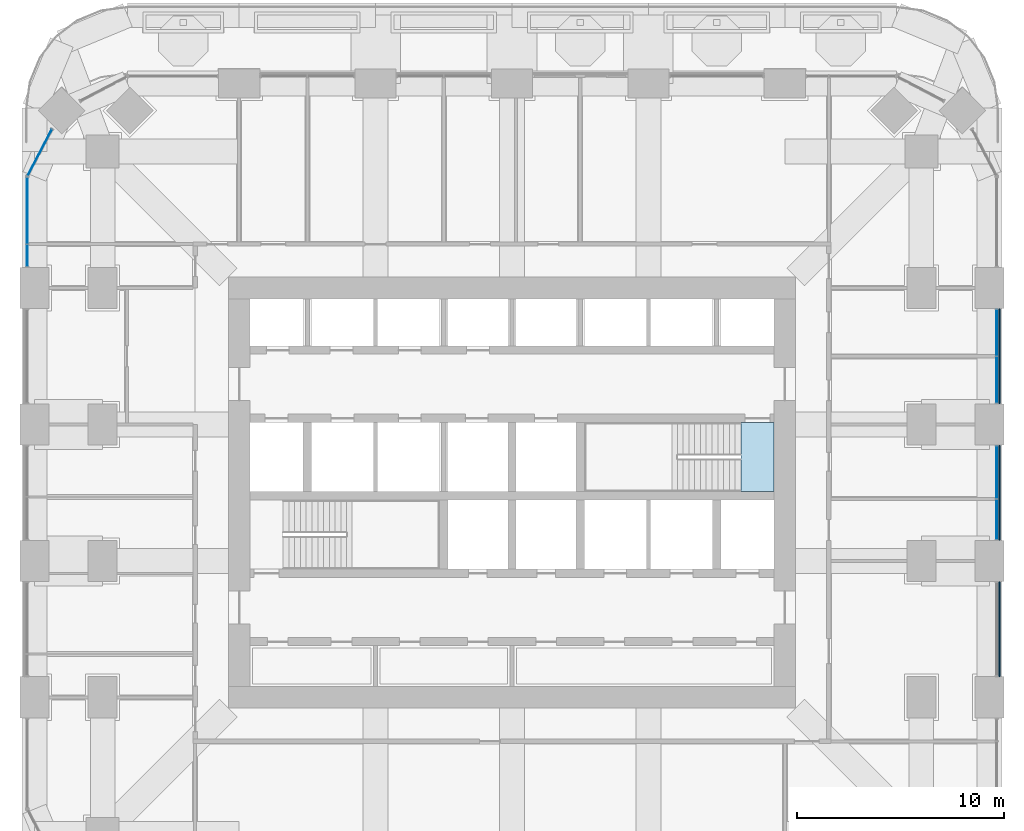
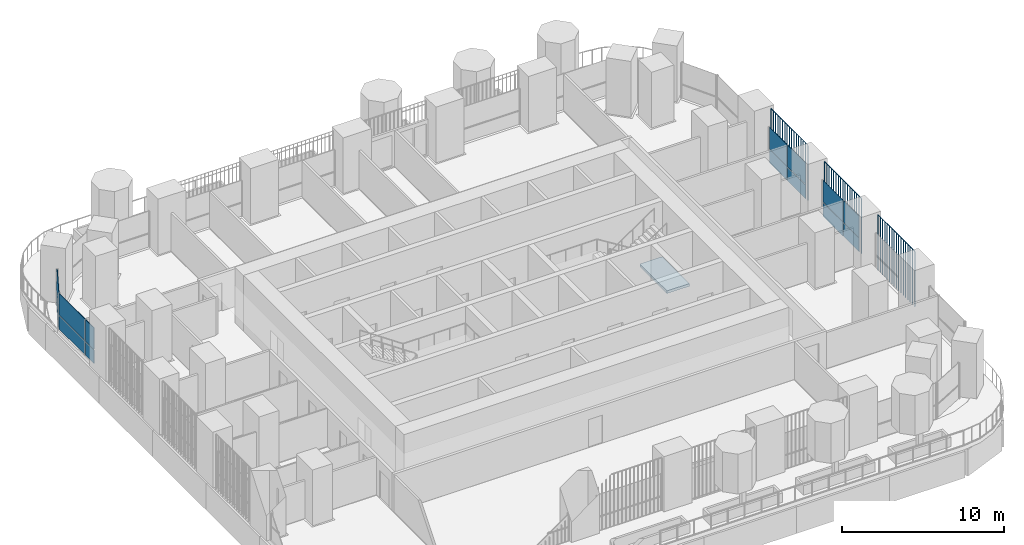
# One storey, part 11 of 22: 17 plates, 1 slab, 5 elements without a shape of their own.
"""IFC4 building model written with IfcOpenShell, lengths in metres."""

from ifc_helpers import new_model, si_unit, direction, frame, origin, origin_2d, place, context, subcontext, project, spatial, polyline, rectangle, outline, extrude, material, layer, layer_set, type_object, element, aggregate, save


model = new_model("IFC4")

# Units and contexts
model_context = context("Model", 3, precision=1e-05, world=origin(), true_north=direction((0.0, 1.0)))
body_context = subcontext(model_context, "Body", "Model", "MODEL_VIEW")
ifc_project = project(units=[si_unit("LENGTHUNIT", "METRE"), si_unit("AREAUNIT", "SQUARE_METRE"), si_unit("VOLUMEUNIT", "CUBIC_METRE"), si_unit("PLANEANGLEUNIT", "RADIAN"), si_unit("MASSUNIT", "GRAM", prefix="KILO")], contexts=[model_context])

# Site, building, storey
site_placement = place(None, origin())
site = spatial("IfcSite", under=ifc_project, at=site_placement, CompositionType="ELEMENT")
building_placement = place(site_placement, origin())
building = spatial("IfcBuilding", under=site, at=building_placement, Name="Cobogo Forest Laboratory Tower", CompositionType="ELEMENT")
storey_placement = place(building_placement, frame((0.0, 0.0, 155.699951171875)))
storey = spatial("IfcBuildingStorey", under=building, at=storey_placement, Name="L35", CompositionType="ELEMENT", Elevation=155.699951171875)

# Curtain wall, plates
ifc_material_1 = material(Name="Aluminium curtain wall", Category="aluminium")
curtain_wall_type = type_object("IfcCurtainWallType", Name="CW-2 unitised curtain wall, solar control glazing, laboratory floors zones C and D", PredefinedType="USERDEFINED", material=ifc_material_1)
curtain_wall_1_placement = place(storey_placement, origin())
curtain_wall_1 = element("IfcCurtainWall", 1, at=curtain_wall_1_placement, inside=storey, type_object=curtain_wall_type, Name="Curtain wall 11 L35", ObjectType="UNITISED CURTAIN WALL", PredefinedType="USERDEFINED")
ifc_material_2 = material(Name="Solar control insulated glass", Category="glass")
ifc_layer_1 = layer(ifc_material_2, 0.031982421875)
ifc_layer_set_1 = layer_set([ifc_layer_1], Name="GP-2 solar control glass unit 32")
plate_type_1 = type_object("IfcPlateType", Name="GP-2 solar control glass unit 32", PredefinedType="CURTAIN_PANEL", material=ifc_layer_set_1)
plate_1_placement = place(storey_placement, frame((49.85009765625, 21.81494140625, 0.0), z_axis=(0.0, 0.0, 1.0), x_axis=(0.0, 1.0, 0.0)))
plate_1 = element("IfcPlate", 2, at=plate_1_placement, type_object=plate_type_1, Name="CW-2 panel 1.1", PredefinedType="CURTAIN_PANEL", context=body_context, shape_type="SweptSolid", body=[
    extrude(rectangle(XDim=1.909912109375, YDim=0.031982421875, at=origin_2d()), origin(), (0.0, 0.0, 1.0), 1.02001953125),
])
plate_2_placement = place(storey_placement, frame((49.85009765625, 21.81494140625, 1.080078125), z_axis=(0.0, 0.0, 1.0), x_axis=(0.0, 1.0, 0.0)))
plate_2 = element("IfcPlate", 3, at=plate_2_placement, type_object=plate_type_1, Name="CW-2 panel 1.2", PredefinedType="CURTAIN_PANEL", context=body_context, shape_type="SweptSolid", body=[
    extrude(rectangle(XDim=1.909912109375, YDim=0.031982421875, at=origin_2d()), origin(), (0.0, 0.0, 1.0), 1.6201171875),
])
plate_3_placement = place(storey_placement, frame((49.85009765625, 24.0849609375, 0.0), z_axis=(0.0, 0.0, 1.0), x_axis=(0.0, 1.0, 0.0)))
plate_3 = element("IfcPlate", 4, at=plate_3_placement, type_object=plate_type_1, Name="CW-2 panel 2.1", PredefinedType="CURTAIN_PANEL", context=body_context, shape_type="SweptSolid", body=[
    extrude(rectangle(XDim=2.510009765625, YDim=0.031982421875, at=origin_2d()), origin(), (0.0, 0.0, 1.0), 1.02001953125),
])
plate_4_placement = place(storey_placement, frame((49.85009765625, 24.0849609375, 1.080078125), z_axis=(0.0, 0.0, 1.0), x_axis=(0.0, 1.0, 0.0)))
plate_4 = element("IfcPlate", 5, at=plate_4_placement, type_object=plate_type_1, Name="CW-2 panel 2.2", PredefinedType="CURTAIN_PANEL", context=body_context, shape_type="SweptSolid", body=[
    extrude(rectangle(XDim=2.510009765625, YDim=0.031982421875, at=origin_2d()), origin(), (0.0, 0.0, 1.0), 1.6201171875),
])
aggregate(curtain_wall_1, [plate_1, plate_2, plate_3, plate_4])

curtain_wall_2_placement = place(storey_placement, origin())
curtain_wall_2 = element("IfcCurtainWall", 6, at=curtain_wall_2_placement, inside=storey, type_object=curtain_wall_type, Name="Curtain wall 12 L35", ObjectType="UNITISED CURTAIN WALL", PredefinedType="USERDEFINED")
plate_5_placement = place(storey_placement, frame((49.85009765625, 28.56494140625, 0.0), z_axis=(0.0, 0.0, 1.0), x_axis=(0.0, 1.0, 0.0)))
plate_5 = element("IfcPlate", 7, at=plate_5_placement, type_object=plate_type_1, Name="CW-2 panel 1.1", PredefinedType="CURTAIN_PANEL", context=body_context, shape_type="SweptSolid", body=[
    extrude(rectangle(XDim=2.2099609375, YDim=0.031982421875, at=origin_2d()), origin(), (0.0, 0.0, 1.0), 1.02001953125),
])
plate_6_placement = place(storey_placement, frame((49.85009765625, 28.56494140625, 1.080078125), z_axis=(0.0, 0.0, 1.0), x_axis=(0.0, 1.0, 0.0)))
plate_6 = element("IfcPlate", 8, at=plate_6_placement, type_object=plate_type_1, Name="CW-2 panel 1.2", PredefinedType="CURTAIN_PANEL", context=body_context, shape_type="SweptSolid", body=[
    extrude(rectangle(XDim=2.2099609375, YDim=0.031982421875, at=origin_2d()), origin(), (0.0, 0.0, 1.0), 1.6201171875),
])
plate_7_placement = place(storey_placement, frame((49.85009765625, 30.8349609375, 0.0), z_axis=(0.0, 0.0, 1.0), x_axis=(0.0, 1.0, 0.0)))
plate_7 = element("IfcPlate", 9, at=plate_7_placement, type_object=plate_type_1, Name="CW-2 panel 2.1", PredefinedType="CURTAIN_PANEL", context=body_context, shape_type="SweptSolid", body=[
    extrude(rectangle(XDim=2.2099609375, YDim=0.031982421875, at=origin_2d()), origin(), (0.0, 0.0, 1.0), 1.02001953125),
])
plate_8_placement = place(storey_placement, frame((49.85009765625, 30.8349609375, 1.080078125), z_axis=(0.0, 0.0, 1.0), x_axis=(0.0, 1.0, 0.0)))
plate_8 = element("IfcPlate", 10, at=plate_8_placement, type_object=plate_type_1, Name="CW-2 panel 2.2", PredefinedType="CURTAIN_PANEL", context=body_context, shape_type="SweptSolid", body=[
    extrude(rectangle(XDim=2.2099609375, YDim=0.031982421875, at=origin_2d()), origin(), (0.0, 0.0, 1.0), 1.6201171875),
])
aggregate(curtain_wall_2, [plate_5, plate_6, plate_7, plate_8])

curtain_wall_3_placement = place(storey_placement, origin())
curtain_wall_3 = element("IfcCurtainWall", 11, at=curtain_wall_3_placement, inside=storey, type_object=curtain_wall_type, Name="Curtain wall 23 L35", ObjectType="UNITISED CURTAIN WALL", PredefinedType="USERDEFINED")
plate_9_placement = place(storey_placement, frame((3.557861328125, 39.5595703125, 0.0), z_axis=(0.0, 0.0, 1.0), x_axis=(-0.464283723321, -0.885686527085, 0.0)))
plate_9 = element("IfcPlate", 12, at=plate_9_placement, type_object=plate_type_1, Name="CW-2 panel 1.1", PredefinedType="CURTAIN_PANEL", context=body_context, shape_type="SweptSolid", body=[
    extrude(rectangle(XDim=2.49853515625, YDim=0.031982421875, at=origin_2d()), origin(), (0.0, 0.0, 1.0), 1.02001953125),
])
plate_10_placement = place(storey_placement, frame((3.557861328125, 39.5595703125, 1.080078125), z_axis=(0.0, 0.0, 1.0), x_axis=(-0.464283723321, -0.885686527085, 0.0)))
plate_10 = element("IfcPlate", 13, at=plate_10_placement, type_object=plate_type_1, Name="CW-2 panel 1.2", PredefinedType="CURTAIN_PANEL", context=body_context, shape_type="SweptSolid", body=[
    extrude(rectangle(XDim=2.49853515625, YDim=0.031982421875, at=origin_2d()), origin(), (0.0, 0.0, 1.0), 1.6201171875),
])
aggregate(curtain_wall_3, [plate_9, plate_10])

curtain_wall_4_placement = place(storey_placement, origin())
curtain_wall_4 = element("IfcCurtainWall", 14, at=curtain_wall_4_placement, inside=storey, type_object=curtain_wall_type, Name="Curtain wall 24 L35", ObjectType="UNITISED CURTAIN WALL", PredefinedType="USERDEFINED")
plate_11_placement = place(storey_placement, frame((2.949951171875, 36.74755859375, 0.0), z_axis=(0.0, 0.0, 1.0), x_axis=(0.0, -1.0, 0.0)))
plate_11 = element("IfcPlate", 15, at=plate_11_placement, type_object=plate_type_1, Name="CW-2 panel 1.1", PredefinedType="CURTAIN_PANEL", context=body_context, shape_type="SweptSolid", body=[
    extrude(rectangle(XDim=3.18505859375, YDim=0.031982421875, at=origin_2d()), origin(), (0.0, 0.0, 1.0), 1.02001953125),
])
plate_12_placement = place(storey_placement, frame((2.949951171875, 36.74755859375, 1.080078125), z_axis=(0.0, 0.0, 1.0), x_axis=(0.0, -1.0, 0.0)))
plate_12 = element("IfcPlate", 16, at=plate_12_placement, type_object=plate_type_1, Name="CW-2 panel 1.2", PredefinedType="CURTAIN_PANEL", context=body_context, shape_type="SweptSolid", body=[
    extrude(rectangle(XDim=3.18505859375, YDim=0.031982421875, at=origin_2d()), origin(), (0.0, 0.0, 1.0), 1.6201171875),
])
plate_13_placement = place(storey_placement, frame((2.949951171875, 34.577392578125, 0.0), z_axis=(0.0, 0.0, 1.0), x_axis=(0.0, -1.0, 0.0)))
plate_13 = element("IfcPlate", 17, at=plate_13_placement, type_object=plate_type_1, Name="CW-2 panel 2.1", PredefinedType="CURTAIN_PANEL", context=body_context, shape_type="SweptSolid", body=[
    extrude(rectangle(XDim=1.034912109375, YDim=0.031982421875, at=origin_2d()), origin(), (0.0, 0.0, 1.0), 1.02001953125),
])
plate_14_placement = place(storey_placement, frame((2.949951171875, 34.577392578125, 1.080078125), z_axis=(0.0, 0.0, 1.0), x_axis=(0.0, -1.0, 0.0)))
plate_14 = element("IfcPlate", 18, at=plate_14_placement, type_object=plate_type_1, Name="CW-2 panel 2.2", PredefinedType="CURTAIN_PANEL", context=body_context, shape_type="SweptSolid", body=[
    extrude(rectangle(XDim=1.034912109375, YDim=0.031982421875, at=origin_2d()), origin(), (0.0, 0.0, 1.0), 1.6201171875),
])
aggregate(curtain_wall_4, [plate_11, plate_12, plate_13, plate_14])

# Stair, slab
ifc_material_3 = material(Name="Precast concrete HA-40 (C40/50)", Category="concrete")
stair_type = type_object("IfcStairType", Name="ST24 exit stair 24 risers", PredefinedType="HALF_TURN_STAIR", material=ifc_material_3)
stair_placement = place(storey_placement, origin())
stair = element("IfcStair", 19, at=stair_placement, inside=storey, type_object=stair_type, Name="Stair 2 L35 to L36", PredefinedType="HALF_TURN_STAIR")
ifc_material_4 = material(Name="Concrete HA-40 (C40/50)", Category="concrete")
ifc_layer_2 = layer(ifc_material_4, 0.199951171875)
ifc_layer_set_2 = layer_set([ifc_layer_2], Name="SL stair landing 200")
slab_type = type_object("IfcSlabType", Name="SL stair landing 200", PredefinedType="LANDING", material=ifc_layer_set_2)
slab_placement = place(storey_placement, frame((0.0, 0.0, -0.199951171875)))
slab = element("IfcSlab", 20, at=slab_placement, type_object=slab_type, Name="ST2 landing 1", PredefinedType="LANDING", context=body_context, shape_type="SweptSolid", body=[
    extrude(outline(polyline([(37.472900390625, 23.14990234375), (39.074951171875, 23.14990234375), (39.074951171875, 26.5), (37.472900390625, 26.5), (37.472900390625, 23.14990234375)])), origin(), (0.0, 0.0, 1.0), 0.199951171875),
])
aggregate(stair, [slab])

# Plates
ifc_material_5 = material(Name="Terracotta", Category="masonry")
plate_type_2 = type_object("IfcPlateType", Name="TB1 terracotta baguette screen", PredefinedType="USERDEFINED", material=ifc_material_5)
plate_15_placement = place(storey_placement, frame((49.977783203125, 14.231201171875, -0.14990234375)))
element("IfcPlate", 21, at=plate_15_placement, inside=storey, type_object=plate_type_2, Name="Baguette screen E1 L35", ObjectType="BAGUETTE SCREEN", PredefinedType="USERDEFINED", context=body_context, shape_type="SweptSolid", body=[
    extrude(outline(polyline([(0.02880859375, 0.011962890625), (0.011962890625, 0.02880859375), (-0.011962890625, 0.02880859375), (-0.02880859375, 0.011962890625), (-0.02880859375, -0.011962890625), (-0.011962890625, -0.02880859375), (0.011962890625, -0.02880859375), (0.02880859375, -0.011962890625), (0.02880859375, 0.011962890625)])), frame((0.0, 0.0, 4.168701171875), z_axis=(0.0, 1.0, 0.0), x_axis=(-1.0, 0.0, 0.0)), (0.0, 0.0, 1.0), 4.53759765625),
    extrude(outline(polyline([(0.02880859375, 0.011962890625), (0.011962890625, 0.02880859375), (-0.011962890625, 0.02880859375), (-0.02880859375, 0.011962890625), (-0.02880859375, -0.011962890625), (-0.011962890625, -0.02880859375), (0.011962890625, -0.02880859375), (0.02880859375, -0.011962890625), (0.02880859375, 0.011962890625)])), origin(), (0.0, 0.0, 1.0), 4.137451171875),
    extrude(outline(polyline([(0.02880859375, 0.011962890625), (0.011962890625, 0.02880859375), (-0.011962890625, 0.02880859375), (-0.02880859375, 0.011962890625), (-0.02880859375, -0.011962890625), (-0.011962890625, -0.02880859375), (0.011962890625, -0.02880859375), (0.02880859375, -0.011962890625), (0.02880859375, 0.011962890625)])), frame((0.0, 0.28369140625, 0.0)), (0.0, 0.0, 1.0), 4.137451171875),
    extrude(outline(polyline([(0.02880859375, 0.011962890625), (0.011962890625, 0.02880859375), (-0.011962890625, 0.02880859375), (-0.02880859375, 0.011962890625), (-0.02880859375, -0.011962890625), (-0.011962890625, -0.02880859375), (0.011962890625, -0.02880859375), (0.02880859375, -0.011962890625), (0.02880859375, 0.011962890625)])), frame((0.0, 0.567138671875, 0.0)), (0.0, 0.0, 1.0), 4.137451171875),
    extrude(outline(polyline([(0.02880859375, 0.011962890625), (0.011962890625, 0.02880859375), (-0.011962890625, 0.02880859375), (-0.02880859375, 0.011962890625), (-0.02880859375, -0.011962890625), (-0.011962890625, -0.02880859375), (0.011962890625, -0.02880859375), (0.02880859375, -0.011962890625), (0.02880859375, 0.011962890625)])), frame((0.0, 0.850830078125, 0.0)), (0.0, 0.0, 1.0), 4.137451171875),
    extrude(outline(polyline([(0.02880859375, 0.011962890625), (0.011962890625, 0.02880859375), (-0.011962890625, 0.02880859375), (-0.02880859375, 0.011962890625), (-0.02880859375, -0.011962890625), (-0.011962890625, -0.02880859375), (0.011962890625, -0.02880859375), (0.02880859375, -0.011962890625), (0.02880859375, 0.011962890625)])), frame((0.0, 1.13427734375, 0.0)), (0.0, 0.0, 1.0), 4.137451171875),
    extrude(outline(polyline([(0.02880859375, 0.011962890625), (0.011962890625, 0.02880859375), (-0.011962890625, 0.02880859375), (-0.02880859375, 0.011962890625), (-0.02880859375, -0.011962890625), (-0.011962890625, -0.02880859375), (0.011962890625, -0.02880859375), (0.02880859375, -0.011962890625), (0.02880859375, 0.011962890625)])), frame((0.0, 1.41796875, 0.0)), (0.0, 0.0, 1.0), 4.137451171875),
    extrude(outline(polyline([(0.02880859375, 0.011962890625), (0.011962890625, 0.02880859375), (-0.011962890625, 0.02880859375), (-0.02880859375, 0.011962890625), (-0.02880859375, -0.011962890625), (-0.011962890625, -0.02880859375), (0.011962890625, -0.02880859375), (0.02880859375, -0.011962890625), (0.02880859375, 0.011962890625)])), frame((0.0, 1.70166015625, 0.0)), (0.0, 0.0, 1.0), 4.137451171875),
    extrude(outline(polyline([(0.02880859375, 0.011962890625), (0.011962890625, 0.02880859375), (-0.011962890625, 0.02880859375), (-0.02880859375, 0.011962890625), (-0.02880859375, -0.011962890625), (-0.011962890625, -0.02880859375), (0.011962890625, -0.02880859375), (0.02880859375, -0.011962890625), (0.02880859375, 0.011962890625)])), frame((0.0, 1.985107421875, 0.0)), (0.0, 0.0, 1.0), 4.137451171875),
    extrude(outline(polyline([(0.02880859375, 0.011962890625), (0.011962890625, 0.02880859375), (-0.011962890625, 0.02880859375), (-0.02880859375, 0.011962890625), (-0.02880859375, -0.011962890625), (-0.011962890625, -0.02880859375), (0.011962890625, -0.02880859375), (0.02880859375, -0.011962890625), (0.02880859375, 0.011962890625)])), frame((0.0, 2.268798828125, 0.0)), (0.0, 0.0, 1.0), 4.137451171875),
    extrude(outline(polyline([(0.02880859375, 0.011962890625), (0.011962890625, 0.02880859375), (-0.011962890625, 0.02880859375), (-0.02880859375, 0.011962890625), (-0.02880859375, -0.011962890625), (-0.011962890625, -0.02880859375), (0.011962890625, -0.02880859375), (0.02880859375, -0.011962890625), (0.02880859375, 0.011962890625)])), frame((0.0, 2.552490234375, 0.0)), (0.0, 0.0, 1.0), 4.137451171875),
    extrude(outline(polyline([(0.02880859375, 0.011962890625), (0.011962890625, 0.02880859375), (-0.011962890625, 0.02880859375), (-0.02880859375, 0.011962890625), (-0.02880859375, -0.011962890625), (-0.011962890625, -0.02880859375), (0.011962890625, -0.02880859375), (0.02880859375, -0.011962890625), (0.02880859375, 0.011962890625)])), frame((0.0, 2.8359375, 0.0)), (0.0, 0.0, 1.0), 4.137451171875),
    extrude(outline(polyline([(0.02880859375, 0.011962890625), (0.011962890625, 0.02880859375), (-0.011962890625, 0.02880859375), (-0.02880859375, 0.011962890625), (-0.02880859375, -0.011962890625), (-0.011962890625, -0.02880859375), (0.011962890625, -0.02880859375), (0.02880859375, -0.011962890625), (0.02880859375, 0.011962890625)])), frame((0.0, 3.11962890625, 0.0)), (0.0, 0.0, 1.0), 4.137451171875),
    extrude(outline(polyline([(0.02880859375, 0.011962890625), (0.011962890625, 0.02880859375), (-0.011962890625, 0.02880859375), (-0.02880859375, 0.011962890625), (-0.02880859375, -0.011962890625), (-0.011962890625, -0.02880859375), (0.011962890625, -0.02880859375), (0.02880859375, -0.011962890625), (0.02880859375, 0.011962890625)])), frame((0.0, 3.4033203125, 0.0)), (0.0, 0.0, 1.0), 4.137451171875),
    extrude(outline(polyline([(0.02880859375, 0.011962890625), (0.011962890625, 0.02880859375), (-0.011962890625, 0.02880859375), (-0.02880859375, 0.011962890625), (-0.02880859375, -0.011962890625), (-0.011962890625, -0.02880859375), (0.011962890625, -0.02880859375), (0.02880859375, -0.011962890625), (0.02880859375, 0.011962890625)])), frame((0.0, 3.686767578125, 0.0)), (0.0, 0.0, 1.0), 4.137451171875),
    extrude(outline(polyline([(0.02880859375, 0.011962890625), (0.011962890625, 0.02880859375), (-0.011962890625, 0.02880859375), (-0.02880859375, 0.011962890625), (-0.02880859375, -0.011962890625), (-0.011962890625, -0.02880859375), (0.011962890625, -0.02880859375), (0.02880859375, -0.011962890625), (0.02880859375, 0.011962890625)])), frame((0.0, 3.970458984375, 0.0)), (0.0, 0.0, 1.0), 4.137451171875),
    extrude(outline(polyline([(0.02880859375, 0.011962890625), (0.011962890625, 0.02880859375), (-0.011962890625, 0.02880859375), (-0.02880859375, 0.011962890625), (-0.02880859375, -0.011962890625), (-0.011962890625, -0.02880859375), (0.011962890625, -0.02880859375), (0.02880859375, -0.011962890625), (0.02880859375, 0.011962890625)])), frame((0.0, 4.25390625, 0.0)), (0.0, 0.0, 1.0), 4.137451171875),
    extrude(outline(polyline([(0.02880859375, 0.011962890625), (0.011962890625, 0.02880859375), (-0.011962890625, 0.02880859375), (-0.02880859375, 0.011962890625), (-0.02880859375, -0.011962890625), (-0.011962890625, -0.02880859375), (0.011962890625, -0.02880859375), (0.02880859375, -0.011962890625), (0.02880859375, 0.011962890625)])), frame((0.0, 4.53759765625, 0.0)), (0.0, 0.0, 1.0), 4.137451171875),
])
plate_16_placement = place(storey_placement, frame((49.977783203125, 20.831298828125, -0.14990234375)))
element("IfcPlate", 22, at=plate_16_placement, inside=storey, type_object=plate_type_2, Name="Baguette screen E2 L35", ObjectType="BAGUETTE SCREEN", PredefinedType="USERDEFINED", context=body_context, shape_type="SweptSolid", body=[
    extrude(outline(polyline([(0.02880859375, 0.011962890625), (0.011962890625, 0.02880859375), (-0.011962890625, 0.02880859375), (-0.02880859375, 0.011962890625), (-0.02880859375, -0.011962890625), (-0.011962890625, -0.02880859375), (0.011962890625, -0.02880859375), (0.02880859375, -0.011962890625), (0.02880859375, 0.011962890625)])), frame((0.0, 0.0, 4.168701171875), z_axis=(0.0, 1.0, 0.0), x_axis=(-1.0, 0.0, 0.0)), (0.0, 0.0, 1.0), 4.537353515625),
    extrude(outline(polyline([(0.02880859375, 0.011962890625), (0.011962890625, 0.02880859375), (-0.011962890625, 0.02880859375), (-0.02880859375, 0.011962890625), (-0.02880859375, -0.011962890625), (-0.011962890625, -0.02880859375), (0.011962890625, -0.02880859375), (0.02880859375, -0.011962890625), (0.02880859375, 0.011962890625)])), origin(), (0.0, 0.0, 1.0), 4.137451171875),
    extrude(outline(polyline([(0.02880859375, 0.011962890625), (0.011962890625, 0.02880859375), (-0.011962890625, 0.02880859375), (-0.02880859375, 0.011962890625), (-0.02880859375, -0.011962890625), (-0.011962890625, -0.02880859375), (0.011962890625, -0.02880859375), (0.02880859375, -0.011962890625), (0.02880859375, 0.011962890625)])), frame((0.0, 0.28369140625, 0.0)), (0.0, 0.0, 1.0), 4.137451171875),
    extrude(outline(polyline([(0.02880859375, 0.011962890625), (0.011962890625, 0.02880859375), (-0.011962890625, 0.02880859375), (-0.02880859375, 0.011962890625), (-0.02880859375, -0.011962890625), (-0.011962890625, -0.02880859375), (0.011962890625, -0.02880859375), (0.02880859375, -0.011962890625), (0.02880859375, 0.011962890625)])), frame((0.0, 0.567138671875, 0.0)), (0.0, 0.0, 1.0), 4.137451171875),
    extrude(outline(polyline([(0.02880859375, 0.011962890625), (0.011962890625, 0.02880859375), (-0.011962890625, 0.02880859375), (-0.02880859375, 0.011962890625), (-0.02880859375, -0.011962890625), (-0.011962890625, -0.02880859375), (0.011962890625, -0.02880859375), (0.02880859375, -0.011962890625), (0.02880859375, 0.011962890625)])), frame((0.0, 0.850830078125, 0.0)), (0.0, 0.0, 1.0), 4.137451171875),
    extrude(outline(polyline([(0.02880859375, 0.011962890625), (0.011962890625, 0.02880859375), (-0.011962890625, 0.02880859375), (-0.02880859375, 0.011962890625), (-0.02880859375, -0.011962890625), (-0.011962890625, -0.02880859375), (0.011962890625, -0.02880859375), (0.02880859375, -0.011962890625), (0.02880859375, 0.011962890625)])), frame((0.0, 1.13427734375, 0.0)), (0.0, 0.0, 1.0), 4.137451171875),
    extrude(outline(polyline([(0.02880859375, 0.011962890625), (0.011962890625, 0.02880859375), (-0.011962890625, 0.02880859375), (-0.02880859375, 0.011962890625), (-0.02880859375, -0.011962890625), (-0.011962890625, -0.02880859375), (0.011962890625, -0.02880859375), (0.02880859375, -0.011962890625), (0.02880859375, 0.011962890625)])), frame((0.0, 1.41796875, 0.0)), (0.0, 0.0, 1.0), 4.137451171875),
    extrude(outline(polyline([(0.02880859375, 0.011962890625), (0.011962890625, 0.02880859375), (-0.011962890625, 0.02880859375), (-0.02880859375, 0.011962890625), (-0.02880859375, -0.011962890625), (-0.011962890625, -0.02880859375), (0.011962890625, -0.02880859375), (0.02880859375, -0.011962890625), (0.02880859375, 0.011962890625)])), frame((0.0, 1.701416015625, 0.0)), (0.0, 0.0, 1.0), 4.137451171875),
    extrude(outline(polyline([(0.02880859375, 0.011962890625), (0.011962890625, 0.02880859375), (-0.011962890625, 0.02880859375), (-0.02880859375, 0.011962890625), (-0.02880859375, -0.011962890625), (-0.011962890625, -0.02880859375), (0.011962890625, -0.02880859375), (0.02880859375, -0.011962890625), (0.02880859375, 0.011962890625)])), frame((0.0, 1.985107421875, 0.0)), (0.0, 0.0, 1.0), 4.137451171875),
    extrude(outline(polyline([(0.02880859375, 0.011962890625), (0.011962890625, 0.02880859375), (-0.011962890625, 0.02880859375), (-0.02880859375, 0.011962890625), (-0.02880859375, -0.011962890625), (-0.011962890625, -0.02880859375), (0.011962890625, -0.02880859375), (0.02880859375, -0.011962890625), (0.02880859375, 0.011962890625)])), frame((0.0, 2.2685546875, 0.0)), (0.0, 0.0, 1.0), 4.137451171875),
    extrude(outline(polyline([(0.02880859375, 0.011962890625), (0.011962890625, 0.02880859375), (-0.011962890625, 0.02880859375), (-0.02880859375, 0.011962890625), (-0.02880859375, -0.011962890625), (-0.011962890625, -0.02880859375), (0.011962890625, -0.02880859375), (0.02880859375, -0.011962890625), (0.02880859375, 0.011962890625)])), frame((0.0, 2.55224609375, 0.0)), (0.0, 0.0, 1.0), 4.137451171875),
    extrude(outline(polyline([(0.02880859375, 0.011962890625), (0.011962890625, 0.02880859375), (-0.011962890625, 0.02880859375), (-0.02880859375, 0.011962890625), (-0.02880859375, -0.011962890625), (-0.011962890625, -0.02880859375), (0.011962890625, -0.02880859375), (0.02880859375, -0.011962890625), (0.02880859375, 0.011962890625)])), frame((0.0, 2.8359375, 0.0)), (0.0, 0.0, 1.0), 4.137451171875),
    extrude(outline(polyline([(0.02880859375, 0.011962890625), (0.011962890625, 0.02880859375), (-0.011962890625, 0.02880859375), (-0.02880859375, 0.011962890625), (-0.02880859375, -0.011962890625), (-0.011962890625, -0.02880859375), (0.011962890625, -0.02880859375), (0.02880859375, -0.011962890625), (0.02880859375, 0.011962890625)])), frame((0.0, 3.119384765625, 0.0)), (0.0, 0.0, 1.0), 4.137451171875),
    extrude(outline(polyline([(0.02880859375, 0.011962890625), (0.011962890625, 0.02880859375), (-0.011962890625, 0.02880859375), (-0.02880859375, 0.011962890625), (-0.02880859375, -0.011962890625), (-0.011962890625, -0.02880859375), (0.011962890625, -0.02880859375), (0.02880859375, -0.011962890625), (0.02880859375, 0.011962890625)])), frame((0.0, 3.403076171875, 0.0)), (0.0, 0.0, 1.0), 4.137451171875),
    extrude(outline(polyline([(0.02880859375, 0.011962890625), (0.011962890625, 0.02880859375), (-0.011962890625, 0.02880859375), (-0.02880859375, 0.011962890625), (-0.02880859375, -0.011962890625), (-0.011962890625, -0.02880859375), (0.011962890625, -0.02880859375), (0.02880859375, -0.011962890625), (0.02880859375, 0.011962890625)])), frame((0.0, 3.6865234375, 0.0)), (0.0, 0.0, 1.0), 4.137451171875),
    extrude(outline(polyline([(0.02880859375, 0.011962890625), (0.011962890625, 0.02880859375), (-0.011962890625, 0.02880859375), (-0.02880859375, 0.011962890625), (-0.02880859375, -0.011962890625), (-0.011962890625, -0.02880859375), (0.011962890625, -0.02880859375), (0.02880859375, -0.011962890625), (0.02880859375, 0.011962890625)])), frame((0.0, 3.97021484375, 0.0)), (0.0, 0.0, 1.0), 4.137451171875),
    extrude(outline(polyline([(0.02880859375, 0.011962890625), (0.011962890625, 0.02880859375), (-0.011962890625, 0.02880859375), (-0.02880859375, 0.011962890625), (-0.02880859375, -0.011962890625), (-0.011962890625, -0.02880859375), (0.011962890625, -0.02880859375), (0.02880859375, -0.011962890625), (0.02880859375, 0.011962890625)])), frame((0.0, 4.253662109375, 0.0)), (0.0, 0.0, 1.0), 4.137451171875),
    extrude(outline(polyline([(0.02880859375, 0.011962890625), (0.011962890625, 0.02880859375), (-0.011962890625, 0.02880859375), (-0.02880859375, 0.011962890625), (-0.02880859375, -0.011962890625), (-0.011962890625, -0.02880859375), (0.011962890625, -0.02880859375), (0.02880859375, -0.011962890625), (0.02880859375, 0.011962890625)])), frame((0.0, 4.537353515625, 0.0)), (0.0, 0.0, 1.0), 4.137451171875),
])
plate_17_placement = place(storey_placement, frame((49.977783203125, 27.43115234375, -0.14990234375)))
element("IfcPlate", 23, at=plate_17_placement, inside=storey, type_object=plate_type_2, Name="Baguette screen E3 L35", ObjectType="BAGUETTE SCREEN", PredefinedType="USERDEFINED", context=body_context, shape_type="SweptSolid", body=[
    extrude(outline(polyline([(0.02880859375, 0.011962890625), (0.011962890625, 0.02880859375), (-0.011962890625, 0.02880859375), (-0.02880859375, 0.011962890625), (-0.02880859375, -0.011962890625), (-0.011962890625, -0.02880859375), (0.011962890625, -0.02880859375), (0.02880859375, -0.011962890625), (0.02880859375, 0.011962890625)])), frame((0.0, 0.0, 4.168701171875), z_axis=(0.0, 1.0, 0.0), x_axis=(-1.0, 0.0, 0.0)), (0.0, 0.0, 1.0), 4.53759765625),
    extrude(outline(polyline([(0.02880859375, 0.011962890625), (0.011962890625, 0.02880859375), (-0.011962890625, 0.02880859375), (-0.02880859375, 0.011962890625), (-0.02880859375, -0.011962890625), (-0.011962890625, -0.02880859375), (0.011962890625, -0.02880859375), (0.02880859375, -0.011962890625), (0.02880859375, 0.011962890625)])), origin(), (0.0, 0.0, 1.0), 4.137451171875),
    extrude(outline(polyline([(0.02880859375, 0.011962890625), (0.011962890625, 0.02880859375), (-0.011962890625, 0.02880859375), (-0.02880859375, 0.011962890625), (-0.02880859375, -0.011962890625), (-0.011962890625, -0.02880859375), (0.011962890625, -0.02880859375), (0.02880859375, -0.011962890625), (0.02880859375, 0.011962890625)])), frame((0.0, 0.28369140625, 0.0)), (0.0, 0.0, 1.0), 4.137451171875),
    extrude(outline(polyline([(0.02880859375, 0.011962890625), (0.011962890625, 0.02880859375), (-0.011962890625, 0.02880859375), (-0.02880859375, 0.011962890625), (-0.02880859375, -0.011962890625), (-0.011962890625, -0.02880859375), (0.011962890625, -0.02880859375), (0.02880859375, -0.011962890625), (0.02880859375, 0.011962890625)])), frame((0.0, 0.567138671875, 0.0)), (0.0, 0.0, 1.0), 4.137451171875),
    extrude(outline(polyline([(0.02880859375, 0.011962890625), (0.011962890625, 0.02880859375), (-0.011962890625, 0.02880859375), (-0.02880859375, 0.011962890625), (-0.02880859375, -0.011962890625), (-0.011962890625, -0.02880859375), (0.011962890625, -0.02880859375), (0.02880859375, -0.011962890625), (0.02880859375, 0.011962890625)])), frame((0.0, 0.850830078125, 0.0)), (0.0, 0.0, 1.0), 4.137451171875),
    extrude(outline(polyline([(0.02880859375, 0.011962890625), (0.011962890625, 0.02880859375), (-0.011962890625, 0.02880859375), (-0.02880859375, 0.011962890625), (-0.02880859375, -0.011962890625), (-0.011962890625, -0.02880859375), (0.011962890625, -0.02880859375), (0.02880859375, -0.011962890625), (0.02880859375, 0.011962890625)])), frame((0.0, 1.13427734375, 0.0)), (0.0, 0.0, 1.0), 4.137451171875),
    extrude(outline(polyline([(0.02880859375, 0.011962890625), (0.011962890625, 0.02880859375), (-0.011962890625, 0.02880859375), (-0.02880859375, 0.011962890625), (-0.02880859375, -0.011962890625), (-0.011962890625, -0.02880859375), (0.011962890625, -0.02880859375), (0.02880859375, -0.011962890625), (0.02880859375, 0.011962890625)])), frame((0.0, 1.41796875, 0.0)), (0.0, 0.0, 1.0), 4.137451171875),
    extrude(outline(polyline([(0.02880859375, 0.011962890625), (0.011962890625, 0.02880859375), (-0.011962890625, 0.02880859375), (-0.02880859375, 0.011962890625), (-0.02880859375, -0.011962890625), (-0.011962890625, -0.02880859375), (0.011962890625, -0.02880859375), (0.02880859375, -0.011962890625), (0.02880859375, 0.011962890625)])), frame((0.0, 1.70166015625, 0.0)), (0.0, 0.0, 1.0), 4.137451171875),
    extrude(outline(polyline([(0.02880859375, 0.011962890625), (0.011962890625, 0.02880859375), (-0.011962890625, 0.02880859375), (-0.02880859375, 0.011962890625), (-0.02880859375, -0.011962890625), (-0.011962890625, -0.02880859375), (0.011962890625, -0.02880859375), (0.02880859375, -0.011962890625), (0.02880859375, 0.011962890625)])), frame((0.0, 1.985107421875, 0.0)), (0.0, 0.0, 1.0), 4.137451171875),
    extrude(outline(polyline([(0.02880859375, 0.011962890625), (0.011962890625, 0.02880859375), (-0.011962890625, 0.02880859375), (-0.02880859375, 0.011962890625), (-0.02880859375, -0.011962890625), (-0.011962890625, -0.02880859375), (0.011962890625, -0.02880859375), (0.02880859375, -0.011962890625), (0.02880859375, 0.011962890625)])), frame((0.0, 2.268798828125, 0.0)), (0.0, 0.0, 1.0), 4.137451171875),
    extrude(outline(polyline([(0.02880859375, 0.011962890625), (0.011962890625, 0.02880859375), (-0.011962890625, 0.02880859375), (-0.02880859375, 0.011962890625), (-0.02880859375, -0.011962890625), (-0.011962890625, -0.02880859375), (0.011962890625, -0.02880859375), (0.02880859375, -0.011962890625), (0.02880859375, 0.011962890625)])), frame((0.0, 2.552490234375, 0.0)), (0.0, 0.0, 1.0), 4.137451171875),
    extrude(outline(polyline([(0.02880859375, 0.011962890625), (0.011962890625, 0.02880859375), (-0.011962890625, 0.02880859375), (-0.02880859375, 0.011962890625), (-0.02880859375, -0.011962890625), (-0.011962890625, -0.02880859375), (0.011962890625, -0.02880859375), (0.02880859375, -0.011962890625), (0.02880859375, 0.011962890625)])), frame((0.0, 2.8359375, 0.0)), (0.0, 0.0, 1.0), 4.137451171875),
    extrude(outline(polyline([(0.02880859375, 0.011962890625), (0.011962890625, 0.02880859375), (-0.011962890625, 0.02880859375), (-0.02880859375, 0.011962890625), (-0.02880859375, -0.011962890625), (-0.011962890625, -0.02880859375), (0.011962890625, -0.02880859375), (0.02880859375, -0.011962890625), (0.02880859375, 0.011962890625)])), frame((0.0, 3.11962890625, 0.0)), (0.0, 0.0, 1.0), 4.137451171875),
    extrude(outline(polyline([(0.02880859375, 0.011962890625), (0.011962890625, 0.02880859375), (-0.011962890625, 0.02880859375), (-0.02880859375, 0.011962890625), (-0.02880859375, -0.011962890625), (-0.011962890625, -0.02880859375), (0.011962890625, -0.02880859375), (0.02880859375, -0.011962890625), (0.02880859375, 0.011962890625)])), frame((0.0, 3.4033203125, 0.0)), (0.0, 0.0, 1.0), 4.137451171875),
    extrude(outline(polyline([(0.02880859375, 0.011962890625), (0.011962890625, 0.02880859375), (-0.011962890625, 0.02880859375), (-0.02880859375, 0.011962890625), (-0.02880859375, -0.011962890625), (-0.011962890625, -0.02880859375), (0.011962890625, -0.02880859375), (0.02880859375, -0.011962890625), (0.02880859375, 0.011962890625)])), frame((0.0, 3.686767578125, 0.0)), (0.0, 0.0, 1.0), 4.137451171875),
    extrude(outline(polyline([(0.02880859375, 0.011962890625), (0.011962890625, 0.02880859375), (-0.011962890625, 0.02880859375), (-0.02880859375, 0.011962890625), (-0.02880859375, -0.011962890625), (-0.011962890625, -0.02880859375), (0.011962890625, -0.02880859375), (0.02880859375, -0.011962890625), (0.02880859375, 0.011962890625)])), frame((0.0, 3.970458984375, 0.0)), (0.0, 0.0, 1.0), 4.137451171875),
    extrude(outline(polyline([(0.02880859375, 0.011962890625), (0.011962890625, 0.02880859375), (-0.011962890625, 0.02880859375), (-0.02880859375, 0.011962890625), (-0.02880859375, -0.011962890625), (-0.011962890625, -0.02880859375), (0.011962890625, -0.02880859375), (0.02880859375, -0.011962890625), (0.02880859375, 0.011962890625)])), frame((0.0, 4.25390625, 0.0)), (0.0, 0.0, 1.0), 4.137451171875),
    extrude(outline(polyline([(0.02880859375, 0.011962890625), (0.011962890625, 0.02880859375), (-0.011962890625, 0.02880859375), (-0.02880859375, 0.011962890625), (-0.02880859375, -0.011962890625), (-0.011962890625, -0.02880859375), (0.011962890625, -0.02880859375), (0.02880859375, -0.011962890625), (0.02880859375, 0.011962890625)])), frame((0.0, 4.53759765625, 0.0)), (0.0, 0.0, 1.0), 4.137451171875),
])

save(model, "model.ifc")
